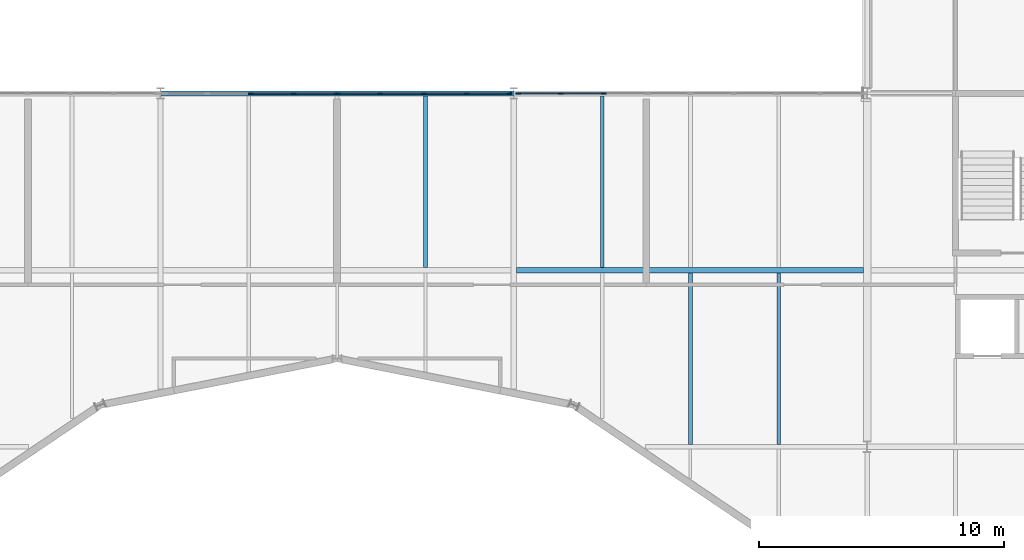
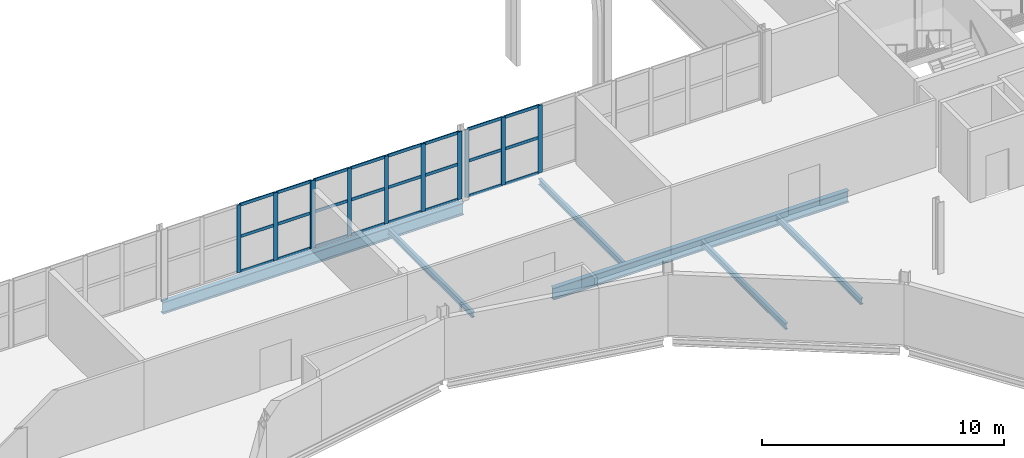
# One storey, part 43 of 124: 35 members, 6 beams, 3 elements without a shape of their own.
"""IFC4 building model written with IfcOpenShell, lengths in metres."""

from ifc_helpers import new_model, si_unit, direction, frame, origin, origin_2d, place, context, subcontext, project, spatial, rectangle, i_section, extrude, material, material_profile, profile_set, type_object, element, aggregate, save


model = new_model("IFC4")

# Units and contexts
model_context = context("Model", 3, precision=1e-05, world=origin(), true_north=direction((0.0, 1.0)))
body_context = subcontext(model_context, "Body", "Model", "MODEL_VIEW")
ifc_project = project(units=[si_unit("LENGTHUNIT", "METRE"), si_unit("AREAUNIT", "SQUARE_METRE"), si_unit("VOLUMEUNIT", "CUBIC_METRE"), si_unit("PLANEANGLEUNIT", "RADIAN"), si_unit("MASSUNIT", "GRAM", prefix="KILO")], contexts=[model_context])

# Site, building, storey
site_placement = place(None, origin())
site = spatial("IfcSite", under=ifc_project, at=site_placement, CompositionType="ELEMENT")
building_placement = place(site_placement, origin())
building = spatial("IfcBuilding", under=site, at=building_placement, Name="Kupolbacken Congress Centre", CompositionType="ELEMENT")
storey_placement = place(building_placement, frame((0.0, 0.0, 10.800048828125)))
storey = spatial("IfcBuildingStorey", under=building, at=storey_placement, Name="L03", CompositionType="ELEMENT", Elevation=10.800048828125)

# Beams
ifc_material_1 = material(Name="Steel S355", Category="steel")
ifc_material_profile_1 = material_profile(ifc_material_1, i_section(OverallWidth=0.14990234375, OverallDepth=0.300048828125, WebThickness=0.007080078125, FlangeThickness=0.0107421875, FilletRadius=0.014892578125, at=origin_2d()), Name="IPE 300")
ifc_profile_set_1 = profile_set([ifc_material_profile_1], Name="Steel S355")
beam_type_1 = type_object("IfcBeamType", Name="B04 beam IPE 300", PredefinedType="BEAM", material=ifc_profile_set_1)
for number, where, z_axis, x_axis, name in (
    (1, (46.800048828125, 115.31005859375, -0.330078125), (0.0, 1.0, 0.0), (-1.0, 0.0, 0.0), "S/floor/P/L03/S123"),
    (2, (54.0, 115.31005859375, -0.330078125), (0.0, 1.0, 0.0), (-1.0, 0.0, 0.0), "S/floor/P/L03/S127"),
):
    element("IfcBeam", number, at=place(storey_placement, frame(where, z_axis=z_axis, x_axis=x_axis)), inside=storey, type_object=beam_type_1, Name=name, PredefinedType="BEAM", context=body_context, shape_type="SweptSolid", body=[
        extrude(i_section(OverallWidth=0.14990234375, OverallDepth=0.300048828125, WebThickness=0.007080078125, FlangeThickness=0.0107421875, FilletRadius=0.014892578125, at=origin_2d()), origin(), (0.0, 0.0, 1.0), 6.97998046875),
    ])
for number, where, z_axis, x_axis, name in (
    (3, (57.60009765625, 108.090087890625, -0.330078125), (0.0, 1.0, 0.0), (-1.0, 0.0, 0.0), "S/floor/P/L03/S132"),
    (4, (61.199951171875, 108.090087890625, -0.330078125), (0.0, 1.0, 0.0), (-1.0, 0.0, 0.0), "S/floor/P/L03/S138"),
):
    element("IfcBeam", number, at=place(storey_placement, frame(where, z_axis=z_axis, x_axis=x_axis)), inside=storey, type_object=beam_type_1, Name=name, PredefinedType="BEAM", context=body_context, shape_type="SweptSolid", body=[
        extrude(i_section(OverallWidth=0.14990234375, OverallDepth=0.300048828125, WebThickness=0.007080078125, FlangeThickness=0.0107421875, FilletRadius=0.014892578125, at=origin_2d()), origin(), (0.0, 0.0, 1.0), 7.0),
    ])
ifc_material_2 = material(Name="Steel S355", Category="steel")
ifc_material_profile_2 = material_profile(ifc_material_2, i_section(OverallWidth=0.219970703125, OverallDepth=0.60009765625, WebThickness=0.011962890625, FlangeThickness=0.01904296875, FilletRadius=0.02392578125, at=origin_2d()), Name="IPE 600")
ifc_profile_set_2 = profile_set([ifc_material_profile_2], Name="Steel S355")
beam_type_2 = type_object("IfcBeamType", Name="B11 beam IPE 600", PredefinedType="BEAM", material=ifc_profile_set_2)
beam_1_placement = place(storey_placement, frame((50.5048828125, 115.199951171875, -0.47998046875), z_axis=(1.0, 0.0, 0.0), x_axis=(0.0, 1.0, 0.0)))
element("IfcBeam", 5, at=beam_1_placement, inside=storey, type_object=beam_type_2, Name="S/floor/P/L03/R068", PredefinedType="BEAM", context=body_context, shape_type="SweptSolid", body=[
    extrude(i_section(OverallWidth=0.219970703125, OverallDepth=0.60009765625, WebThickness=0.011962890625, FlangeThickness=0.01904296875, FilletRadius=0.02392578125, at=origin_2d()), origin(), (0.0, 0.0, 1.0), 14.14501953125),
])
beam_2_placement = place(storey_placement, frame((36.007080078125, 122.39990234375, -0.47998046875), z_axis=(1.0, 0.0, 0.0), x_axis=(0.0, 1.0, 0.0)))
element("IfcBeam", 6, at=beam_2_placement, inside=storey, type_object=beam_type_2, Name="S/floor/P/L03/R072", PredefinedType="BEAM", context=body_context, shape_type="SweptSolid", body=[
    extrude(i_section(OverallWidth=0.219970703125, OverallDepth=0.60009765625, WebThickness=0.011962890625, FlangeThickness=0.01904296875, FilletRadius=0.02392578125, at=origin_2d()), origin(), (0.0, 0.0, 1.0), 14.385986328125),
])

# Curtain wall, members
ifc_material_3 = material(Name="Aluminium mullion-transom frame with glass", Category="aluminium")
curtain_wall_type = type_object("IfcCurtainWallType", Name="CW1 curtain wall 7200x3600", PredefinedType="NOTDEFINED", material=ifc_material_3)
curtain_wall_1_placement = place(storey_placement, origin())
curtain_wall_1 = element("IfcCurtainWall", 7, at=curtain_wall_1_placement, inside=storey, type_object=curtain_wall_type, Name="E/P/N/L03/375", PredefinedType="NOTDEFINED")
ifc_material_4 = material(Name="Aluminium alloy", Category="aluminium")
ifc_material_profile_3 = material_profile(ifc_material_4, rectangle(XDim=0.050048828125, YDim=0.199951171875, at=origin_2d()), Name="50 x 200")
ifc_profile_set_3 = profile_set([ifc_material_profile_3], Name="Aluminium alloy")
member_type_1 = type_object("IfcMemberType", Name="MU2 mullion 50x200", PredefinedType="MULLION", material=ifc_profile_set_3)
member_1_placement = place(storey_placement, frame((54.074951171875, 122.39990234375, 0.0), z_axis=(0.0, 0.0, 1.0), x_axis=(0.0, -1.0, 0.0)))
member_1 = element("IfcMember", 8, at=member_1_placement, type_object=member_type_1, Name="CW1 mullion 3", PredefinedType="MULLION", context=body_context, shape_type="SweptSolid", body=[
    extrude(rectangle(XDim=0.050048828125, YDim=0.199951171875, at=origin_2d()), origin(), (0.0, 0.0, 1.0), 3.419921875),
])
member_2_placement = place(storey_placement, frame((52.3125, 122.39990234375, 0.0), z_axis=(0.0, 0.0, 1.0), x_axis=(0.0, -1.0, 0.0)))
member_2 = element("IfcMember", 9, at=member_2_placement, type_object=member_type_1, Name="CW1 mullion 4", PredefinedType="MULLION", context=body_context, shape_type="SweptSolid", body=[
    extrude(rectangle(XDim=0.050048828125, YDim=0.199951171875, at=origin_2d()), origin(), (0.0, 0.0, 1.0), 3.419921875),
])
member_3_placement = place(storey_placement, frame((50.574951171875, 122.39990234375, 0.0), z_axis=(0.0, 0.0, 1.0), x_axis=(0.0, -1.0, 0.0)))
member_3 = element("IfcMember", 10, at=member_3_placement, type_object=member_type_1, Name="CW1 mullion 5", PredefinedType="MULLION", context=body_context, shape_type="SweptSolid", body=[
    extrude(rectangle(XDim=0.050048828125, YDim=0.199951171875, at=origin_2d()), origin(), (0.0, 0.0, 1.0), 3.419921875),
])

curtain_wall_2_placement = place(storey_placement, origin())
curtain_wall_2 = element("IfcCurtainWall", 11, at=curtain_wall_2_placement, inside=storey, type_object=curtain_wall_type, Name="E/P/N/L03/376", PredefinedType="NOTDEFINED")
member_4_placement = place(storey_placement, frame((50.22509765625, 122.39990234375, 0.0), z_axis=(0.0, 0.0, 1.0), x_axis=(0.0, -1.0, 0.0)))
member_4 = element("IfcMember", 12, at=member_4_placement, type_object=member_type_1, Name="CW1 mullion 1", PredefinedType="MULLION", context=body_context, shape_type="SweptSolid", body=[
    extrude(rectangle(XDim=0.050048828125, YDim=0.199951171875, at=origin_2d()), origin(), (0.0, 0.0, 1.0), 3.419921875),
])
member_5_placement = place(storey_placement, frame((48.487548828125, 122.39990234375, 0.0), z_axis=(0.0, 0.0, 1.0), x_axis=(0.0, -1.0, 0.0)))
member_5 = element("IfcMember", 13, at=member_5_placement, type_object=member_type_1, Name="CW1 mullion 2", PredefinedType="MULLION", context=body_context, shape_type="SweptSolid", body=[
    extrude(rectangle(XDim=0.050048828125, YDim=0.199951171875, at=origin_2d()), origin(), (0.0, 0.0, 1.0), 3.419921875),
])
member_6_placement = place(storey_placement, frame((46.72509765625, 122.39990234375, 0.0), z_axis=(0.0, 0.0, 1.0), x_axis=(0.0, -1.0, 0.0)))
member_6 = element("IfcMember", 14, at=member_6_placement, type_object=member_type_1, Name="CW1 mullion 3", PredefinedType="MULLION", context=body_context, shape_type="SweptSolid", body=[
    extrude(rectangle(XDim=0.050048828125, YDim=0.199951171875, at=origin_2d()), origin(), (0.0, 0.0, 1.0), 3.419921875),
])
member_7_placement = place(storey_placement, frame((44.96240234375, 122.39990234375, 0.0), z_axis=(0.0, 0.0, 1.0), x_axis=(0.0, -1.0, 0.0)))
member_7 = element("IfcMember", 15, at=member_7_placement, type_object=member_type_1, Name="CW1 mullion 4", PredefinedType="MULLION", context=body_context, shape_type="SweptSolid", body=[
    extrude(rectangle(XDim=0.050048828125, YDim=0.199951171875, at=origin_2d()), origin(), (0.0, 0.0, 1.0), 3.419921875),
])
member_8_placement = place(storey_placement, frame((43.22509765625, 122.39990234375, 0.0), z_axis=(0.0, 0.0, 1.0), x_axis=(0.0, -1.0, 0.0)))
member_8 = element("IfcMember", 16, at=member_8_placement, type_object=member_type_1, Name="CW1 mullion 5", PredefinedType="MULLION", context=body_context, shape_type="SweptSolid", body=[
    extrude(rectangle(XDim=0.050048828125, YDim=0.199951171875, at=origin_2d()), origin(), (0.0, 0.0, 1.0), 3.419921875),
])

curtain_wall_3_placement = place(storey_placement, origin())
curtain_wall_3 = element("IfcCurtainWall", 17, at=curtain_wall_3_placement, inside=storey, type_object=curtain_wall_type, Name="E/P/N/L03/377", PredefinedType="NOTDEFINED")
member_9_placement = place(storey_placement, frame((43.175048828125, 122.39990234375, 0.0), z_axis=(0.0, 0.0, 1.0), x_axis=(0.0, -1.0, 0.0)))
member_9 = element("IfcMember", 18, at=member_9_placement, type_object=member_type_1, Name="CW1 mullion 1", PredefinedType="MULLION", context=body_context, shape_type="SweptSolid", body=[
    extrude(rectangle(XDim=0.050048828125, YDim=0.199951171875, at=origin_2d()), origin(), (0.0, 0.0, 1.0), 3.419921875),
])
member_10_placement = place(storey_placement, frame((41.4375, 122.39990234375, 0.0), z_axis=(0.0, 0.0, 1.0), x_axis=(0.0, -1.0, 0.0)))
member_10 = element("IfcMember", 19, at=member_10_placement, type_object=member_type_1, Name="CW1 mullion 2", PredefinedType="MULLION", context=body_context, shape_type="SweptSolid", body=[
    extrude(rectangle(XDim=0.050048828125, YDim=0.199951171875, at=origin_2d()), origin(), (0.0, 0.0, 1.0), 3.419921875),
])
member_11_placement = place(storey_placement, frame((39.675048828125, 122.39990234375, 0.0), z_axis=(0.0, 0.0, 1.0), x_axis=(0.0, -1.0, 0.0)))
member_11 = element("IfcMember", 20, at=member_11_placement, type_object=member_type_1, Name="CW1 mullion 3", PredefinedType="MULLION", context=body_context, shape_type="SweptSolid", body=[
    extrude(rectangle(XDim=0.050048828125, YDim=0.199951171875, at=origin_2d()), origin(), (0.0, 0.0, 1.0), 3.419921875),
])

# Member
ifc_material_5 = material(Name="Aluminium alloy", Category="aluminium")
ifc_material_profile_4 = material_profile(ifc_material_5, rectangle(XDim=0.050048828125, YDim=0.14990234375, at=origin_2d()), Name="50 x 150")
ifc_profile_set_4 = profile_set([ifc_material_profile_4], Name="Aluminium alloy")
member_type_2 = type_object("IfcMemberType", Name="TR2 transom 50x150", PredefinedType="MULLION", material=ifc_profile_set_4)
member_12_placement = place(storey_placement, frame((54.050048828125, 122.39990234375, 0.02490234375), z_axis=(-1.0, 0.0, 0.0), x_axis=(0.0, -1.0, 0.0)))
member_12 = element("IfcMember", 21, at=member_12_placement, type_object=member_type_2, Name="CW1 transom 3.1", PredefinedType="MULLION", context=body_context, shape_type="SweptSolid", body=[
    extrude(rectangle(XDim=0.050048828125, YDim=0.14990234375, at=origin_2d()), origin(), (0.0, 0.0, 1.0), 1.712646484375),
])

member_13_placement = place(storey_placement, frame((54.050048828125, 122.39990234375, 1.800048828125), z_axis=(-1.0, 0.0, 0.0), x_axis=(0.0, -1.0, 0.0)))
member_13 = element("IfcMember", 22, at=member_13_placement, type_object=member_type_2, Name="CW1 transom 3.2", PredefinedType="MULLION", context=body_context, shape_type="SweptSolid", body=[
    extrude(rectangle(XDim=0.050048828125, YDim=0.14990234375, at=origin_2d()), origin(), (0.0, 0.0, 1.0), 1.712646484375),
])

member_14_placement = place(storey_placement, frame((54.050048828125, 122.39990234375, 3.39501953125), z_axis=(-1.0, 0.0, 0.0), x_axis=(0.0, -1.0, 0.0)))
member_14 = element("IfcMember", 23, at=member_14_placement, type_object=member_type_2, Name="CW1 transom 3.3", PredefinedType="MULLION", context=body_context, shape_type="SweptSolid", body=[
    extrude(rectangle(XDim=0.050048828125, YDim=0.14990234375, at=origin_2d()), origin(), (0.0, 0.0, 1.0), 1.712646484375),
])

member_15_placement = place(storey_placement, frame((52.28759765625, 122.39990234375, 0.02490234375), z_axis=(-1.0, 0.0, 0.0), x_axis=(0.0, -1.0, 0.0)))
member_15 = element("IfcMember", 24, at=member_15_placement, type_object=member_type_2, Name="CW1 transom 4.1", PredefinedType="MULLION", context=body_context, shape_type="SweptSolid", body=[
    extrude(rectangle(XDim=0.050048828125, YDim=0.14990234375, at=origin_2d()), origin(), (0.0, 0.0, 1.0), 1.6875),
])

member_16_placement = place(storey_placement, frame((52.28759765625, 122.39990234375, 1.800048828125), z_axis=(-1.0, 0.0, 0.0), x_axis=(0.0, -1.0, 0.0)))
member_16 = element("IfcMember", 25, at=member_16_placement, type_object=member_type_2, Name="CW1 transom 4.2", PredefinedType="MULLION", context=body_context, shape_type="SweptSolid", body=[
    extrude(rectangle(XDim=0.050048828125, YDim=0.14990234375, at=origin_2d()), origin(), (0.0, 0.0, 1.0), 1.6875),
])

member_17_placement = place(storey_placement, frame((52.28759765625, 122.39990234375, 3.39501953125), z_axis=(-1.0, 0.0, 0.0), x_axis=(0.0, -1.0, 0.0)))
member_17 = element("IfcMember", 26, at=member_17_placement, type_object=member_type_2, Name="CW1 transom 4.3", PredefinedType="MULLION", context=body_context, shape_type="SweptSolid", body=[
    extrude(rectangle(XDim=0.050048828125, YDim=0.14990234375, at=origin_2d()), origin(), (0.0, 0.0, 1.0), 1.6875),
])

aggregate(curtain_wall_1, [member_1, member_2, member_3, member_12, member_13, member_14, member_15, member_16, member_17])

member_18_placement = place(storey_placement, frame((50.199951171875, 122.39990234375, 0.02490234375), z_axis=(-1.0, 0.0, 0.0), x_axis=(0.0, -1.0, 0.0)))
member_18 = element("IfcMember", 27, at=member_18_placement, type_object=member_type_2, Name="CW1 transom 1.1", PredefinedType="MULLION", context=body_context, shape_type="SweptSolid", body=[
    extrude(rectangle(XDim=0.050048828125, YDim=0.14990234375, at=origin_2d()), origin(), (0.0, 0.0, 1.0), 1.6875),
])

member_19_placement = place(storey_placement, frame((50.199951171875, 122.39990234375, 1.800048828125), z_axis=(-1.0, 0.0, 0.0), x_axis=(0.0, -1.0, 0.0)))
member_19 = element("IfcMember", 28, at=member_19_placement, type_object=member_type_2, Name="CW1 transom 1.2", PredefinedType="MULLION", context=body_context, shape_type="SweptSolid", body=[
    extrude(rectangle(XDim=0.050048828125, YDim=0.14990234375, at=origin_2d()), origin(), (0.0, 0.0, 1.0), 1.6875),
])

member_20_placement = place(storey_placement, frame((50.199951171875, 122.39990234375, 3.39501953125), z_axis=(-1.0, 0.0, 0.0), x_axis=(0.0, -1.0, 0.0)))
member_20 = element("IfcMember", 29, at=member_20_placement, type_object=member_type_2, Name="CW1 transom 1.3", PredefinedType="MULLION", context=body_context, shape_type="SweptSolid", body=[
    extrude(rectangle(XDim=0.050048828125, YDim=0.14990234375, at=origin_2d()), origin(), (0.0, 0.0, 1.0), 1.6875),
])

member_21_placement = place(storey_placement, frame((48.46240234375, 122.39990234375, 0.02490234375), z_axis=(-1.0, 0.0, 0.0), x_axis=(0.0, -1.0, 0.0)))
member_21 = element("IfcMember", 30, at=member_21_placement, type_object=member_type_2, Name="CW1 transom 2.1", PredefinedType="MULLION", context=body_context, shape_type="SweptSolid", body=[
    extrude(rectangle(XDim=0.050048828125, YDim=0.14990234375, at=origin_2d()), origin(), (0.0, 0.0, 1.0), 1.71240234375),
])

member_22_placement = place(storey_placement, frame((48.46240234375, 122.39990234375, 1.800048828125), z_axis=(-1.0, 0.0, 0.0), x_axis=(0.0, -1.0, 0.0)))
member_22 = element("IfcMember", 31, at=member_22_placement, type_object=member_type_2, Name="CW1 transom 2.2", PredefinedType="MULLION", context=body_context, shape_type="SweptSolid", body=[
    extrude(rectangle(XDim=0.050048828125, YDim=0.14990234375, at=origin_2d()), origin(), (0.0, 0.0, 1.0), 1.71240234375),
])

member_23_placement = place(storey_placement, frame((48.46240234375, 122.39990234375, 3.39501953125), z_axis=(-1.0, 0.0, 0.0), x_axis=(0.0, -1.0, 0.0)))
member_23 = element("IfcMember", 32, at=member_23_placement, type_object=member_type_2, Name="CW1 transom 2.3", PredefinedType="MULLION", context=body_context, shape_type="SweptSolid", body=[
    extrude(rectangle(XDim=0.050048828125, YDim=0.14990234375, at=origin_2d()), origin(), (0.0, 0.0, 1.0), 1.71240234375),
])

member_24_placement = place(storey_placement, frame((46.699951171875, 122.39990234375, 0.02490234375), z_axis=(-1.0, 0.0, 0.0), x_axis=(0.0, -1.0, 0.0)))
member_24 = element("IfcMember", 33, at=member_24_placement, type_object=member_type_2, Name="CW1 transom 3.1", PredefinedType="MULLION", context=body_context, shape_type="SweptSolid", body=[
    extrude(rectangle(XDim=0.050048828125, YDim=0.14990234375, at=origin_2d()), origin(), (0.0, 0.0, 1.0), 1.71240234375),
])

member_25_placement = place(storey_placement, frame((46.699951171875, 122.39990234375, 1.800048828125), z_axis=(-1.0, 0.0, 0.0), x_axis=(0.0, -1.0, 0.0)))
member_25 = element("IfcMember", 34, at=member_25_placement, type_object=member_type_2, Name="CW1 transom 3.2", PredefinedType="MULLION", context=body_context, shape_type="SweptSolid", body=[
    extrude(rectangle(XDim=0.050048828125, YDim=0.14990234375, at=origin_2d()), origin(), (0.0, 0.0, 1.0), 1.71240234375),
])

member_26_placement = place(storey_placement, frame((46.699951171875, 122.39990234375, 3.39501953125), z_axis=(-1.0, 0.0, 0.0), x_axis=(0.0, -1.0, 0.0)))
member_26 = element("IfcMember", 35, at=member_26_placement, type_object=member_type_2, Name="CW1 transom 3.3", PredefinedType="MULLION", context=body_context, shape_type="SweptSolid", body=[
    extrude(rectangle(XDim=0.050048828125, YDim=0.14990234375, at=origin_2d()), origin(), (0.0, 0.0, 1.0), 1.71240234375),
])

member_27_placement = place(storey_placement, frame((44.9375, 122.39990234375, 0.02490234375), z_axis=(-1.0, 0.0, 0.0), x_axis=(0.0, -1.0, 0.0)))
member_27 = element("IfcMember", 36, at=member_27_placement, type_object=member_type_2, Name="CW1 transom 4.1", PredefinedType="MULLION", context=body_context, shape_type="SweptSolid", body=[
    extrude(rectangle(XDim=0.050048828125, YDim=0.14990234375, at=origin_2d()), origin(), (0.0, 0.0, 1.0), 1.6875),
])

member_28_placement = place(storey_placement, frame((44.9375, 122.39990234375, 1.800048828125), z_axis=(-1.0, 0.0, 0.0), x_axis=(0.0, -1.0, 0.0)))
member_28 = element("IfcMember", 37, at=member_28_placement, type_object=member_type_2, Name="CW1 transom 4.2", PredefinedType="MULLION", context=body_context, shape_type="SweptSolid", body=[
    extrude(rectangle(XDim=0.050048828125, YDim=0.14990234375, at=origin_2d()), origin(), (0.0, 0.0, 1.0), 1.6875),
])

member_29_placement = place(storey_placement, frame((44.9375, 122.39990234375, 3.39501953125), z_axis=(-1.0, 0.0, 0.0), x_axis=(0.0, -1.0, 0.0)))
member_29 = element("IfcMember", 38, at=member_29_placement, type_object=member_type_2, Name="CW1 transom 4.3", PredefinedType="MULLION", context=body_context, shape_type="SweptSolid", body=[
    extrude(rectangle(XDim=0.050048828125, YDim=0.14990234375, at=origin_2d()), origin(), (0.0, 0.0, 1.0), 1.6875),
])

aggregate(curtain_wall_2, [member_4, member_5, member_6, member_7, member_8, member_18, member_19, member_20, member_21, member_22, member_23, member_24, member_25, member_26, member_27, member_28, member_29])

member_30_placement = place(storey_placement, frame((43.14990234375, 122.39990234375, 0.02490234375), z_axis=(-1.0, 0.0, 0.0), x_axis=(0.0, -1.0, 0.0)))
member_30 = element("IfcMember", 39, at=member_30_placement, type_object=member_type_2, Name="CW1 transom 1.1", PredefinedType="MULLION", context=body_context, shape_type="SweptSolid", body=[
    extrude(rectangle(XDim=0.050048828125, YDim=0.14990234375, at=origin_2d()), origin(), (0.0, 0.0, 1.0), 1.6875),
])

member_31_placement = place(storey_placement, frame((43.14990234375, 122.39990234375, 1.800048828125), z_axis=(-1.0, 0.0, 0.0), x_axis=(0.0, -1.0, 0.0)))
member_31 = element("IfcMember", 40, at=member_31_placement, type_object=member_type_2, Name="CW1 transom 1.2", PredefinedType="MULLION", context=body_context, shape_type="SweptSolid", body=[
    extrude(rectangle(XDim=0.050048828125, YDim=0.14990234375, at=origin_2d()), origin(), (0.0, 0.0, 1.0), 1.6875),
])

member_32_placement = place(storey_placement, frame((43.14990234375, 122.39990234375, 3.39501953125), z_axis=(-1.0, 0.0, 0.0), x_axis=(0.0, -1.0, 0.0)))
member_32 = element("IfcMember", 41, at=member_32_placement, type_object=member_type_2, Name="CW1 transom 1.3", PredefinedType="MULLION", context=body_context, shape_type="SweptSolid", body=[
    extrude(rectangle(XDim=0.050048828125, YDim=0.14990234375, at=origin_2d()), origin(), (0.0, 0.0, 1.0), 1.6875),
])

member_33_placement = place(storey_placement, frame((41.41259765625, 122.39990234375, 0.02490234375), z_axis=(-1.0, 0.0, 0.0), x_axis=(0.0, -1.0, 0.0)))
member_33 = element("IfcMember", 42, at=member_33_placement, type_object=member_type_2, Name="CW1 transom 2.1", PredefinedType="MULLION", context=body_context, shape_type="SweptSolid", body=[
    extrude(rectangle(XDim=0.050048828125, YDim=0.14990234375, at=origin_2d()), origin(), (0.0, 0.0, 1.0), 1.712646484375),
])

member_34_placement = place(storey_placement, frame((41.41259765625, 122.39990234375, 1.800048828125), z_axis=(-1.0, 0.0, 0.0), x_axis=(0.0, -1.0, 0.0)))
member_34 = element("IfcMember", 43, at=member_34_placement, type_object=member_type_2, Name="CW1 transom 2.2", PredefinedType="MULLION", context=body_context, shape_type="SweptSolid", body=[
    extrude(rectangle(XDim=0.050048828125, YDim=0.14990234375, at=origin_2d()), origin(), (0.0, 0.0, 1.0), 1.712646484375),
])

member_35_placement = place(storey_placement, frame((41.41259765625, 122.39990234375, 3.39501953125), z_axis=(-1.0, 0.0, 0.0), x_axis=(0.0, -1.0, 0.0)))
member_35 = element("IfcMember", 44, at=member_35_placement, type_object=member_type_2, Name="CW1 transom 2.3", PredefinedType="MULLION", context=body_context, shape_type="SweptSolid", body=[
    extrude(rectangle(XDim=0.050048828125, YDim=0.14990234375, at=origin_2d()), origin(), (0.0, 0.0, 1.0), 1.712646484375),
])

aggregate(curtain_wall_3, [member_9, member_10, member_11, member_30, member_31, member_32, member_33, member_34, member_35])

save(model, "model.ifc")
